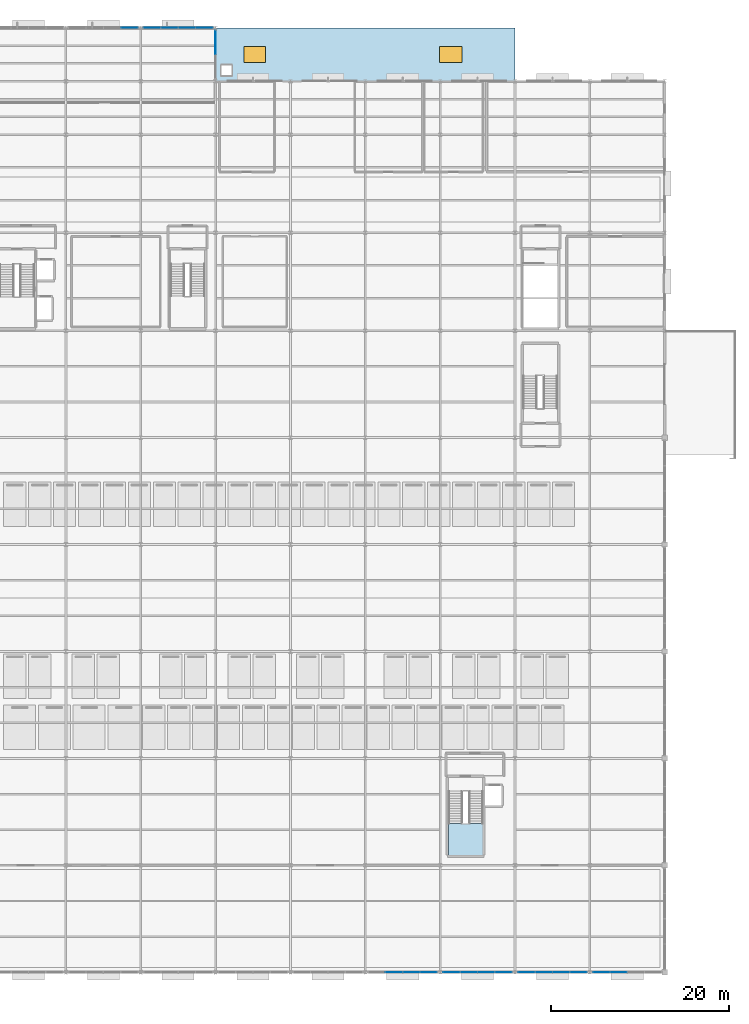
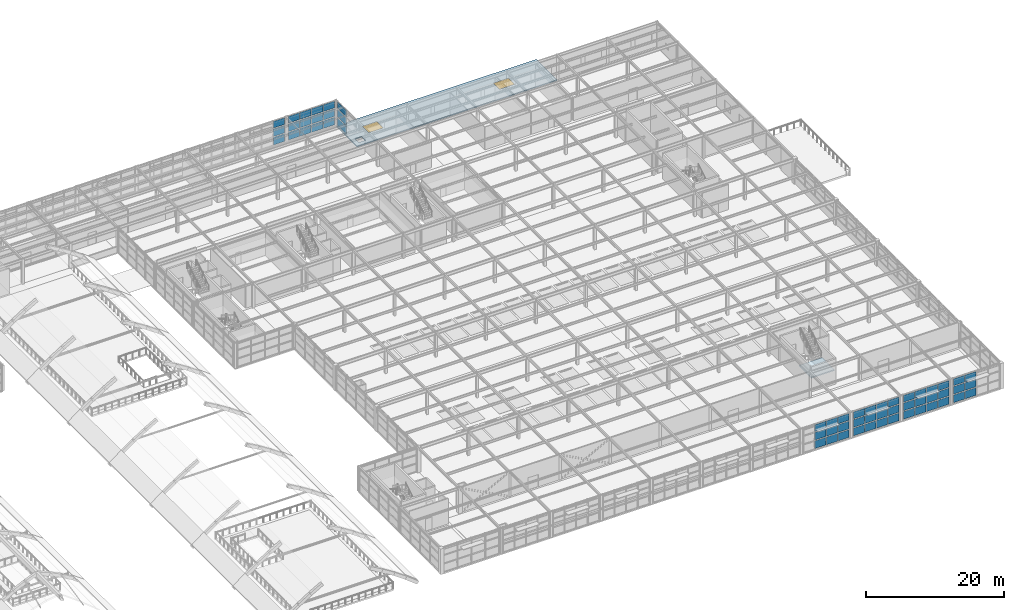
# One storey, part 52 of 82: 57 plates, 2 slabs, 2 windows, 2 openings, 8 elements without a shape of their own.
"""IFC4 building model written with IfcOpenShell, lengths in metres."""

from ifc_helpers import new_model, si_unit, direction, frame, origin, origin_2d, place, context, subcontext, project, spatial, polyline, rectangle, outline, extrude, material, layer, layer_set, type_object, element, fill, aggregate, save


model = new_model("IFC4")

# Units and contexts
model_context = context("Model", 3, precision=1e-05, world=origin(), true_north=direction((0.0, 1.0)))
body_context = subcontext(model_context, "Body", "Model", "MODEL_VIEW")
ifc_project = project(units=[si_unit("LENGTHUNIT", "METRE"), si_unit("AREAUNIT", "SQUARE_METRE"), si_unit("VOLUMEUNIT", "CUBIC_METRE"), si_unit("PLANEANGLEUNIT", "RADIAN"), si_unit("MASSUNIT", "GRAM", prefix="KILO")], contexts=[model_context])

# Site, building, storey
site_placement = place(None, origin())
site = spatial("IfcSite", under=ifc_project, at=site_placement, CompositionType="ELEMENT")
building_placement = place(site_placement, origin())
building = spatial("IfcBuilding", under=site, at=building_placement, Name="Sitalva Quay Ferry Terminal", CompositionType="ELEMENT")
storey_placement = place(building_placement, frame((0.0, 0.0, 5.39990234375)))
storey = spatial("IfcBuildingStorey", under=building, at=storey_placement, Name="L02", CompositionType="ELEMENT", Elevation=5.39990234375)

# Curtain wall, plates
ifc_material_1 = material(Name="Anodised Aluminium & Low-E Glazing", Category="aluminium")
ifc_layer_1 = layer(ifc_material_1, 0.159912109375)
ifc_layer_set_1 = layer_set([ifc_layer_1], Name="Anodised Aluminium & Low-E Glazing")
curtain_wall_type_1 = type_object("IfcCurtainWallType", Name="CW_Concourse_Unitised", PredefinedType="USERDEFINED", material=ifc_layer_set_1)
curtain_wall_1_placement = place(storey_placement, origin())
curtain_wall_1 = element("IfcCurtainWall", 1, at=curtain_wall_1_placement, inside=storey, type_object=curtain_wall_type_1, Name="L02 waterfront boarding concourse glazing (CW-L02-068)", ObjectType="CURTAIN_WALL", PredefinedType="USERDEFINED")
ifc_material_2 = material(Name="Acoustic Laminated Marine Glazing", Category="glass")
ifc_layer_2 = layer(ifc_material_2, 0.033935546875)
ifc_layer_set_2 = layer_set([ifc_layer_2], Name="Acoustic Laminated Marine Glazing")
plate_type_1 = type_object("IfcPlateType", Name="Panel_Marine_IGU_34", PredefinedType="CURTAIN_PANEL", material=ifc_layer_set_2)
plate_1_placement = place(storey_placement, frame((137.6298828125, 6.0, 0.150146484375), z_axis=(0.0, 0.0, 1.0), x_axis=(1.0, 0.0, 0.0)))
plate_1 = element("IfcPlate", 2, at=plate_1_placement, type_object=plate_type_1, Name="CW-L02-068-P1-0", PredefinedType="CURTAIN_PANEL", context=body_context, shape_type="SweptSolid", body=[
    extrude(rectangle(XDim=1.85498046875, YDim=0.033935546875, at=origin_2d()), origin(), (0.0, 0.0, 1.0), 1.36328125),
])
plate_2_placement = place(storey_placement, frame((137.6298828125, 6.0, 1.66357421875), z_axis=(0.0, 0.0, 1.0), x_axis=(1.0, 0.0, 0.0)))
plate_2 = element("IfcPlate", 3, at=plate_2_placement, type_object=plate_type_1, Name="CW-L02-068-P1-1", PredefinedType="CURTAIN_PANEL", context=body_context, shape_type="SweptSolid", body=[
    extrude(rectangle(XDim=1.85498046875, YDim=0.033935546875, at=origin_2d()), origin(), (0.0, 0.0, 1.0), 1.36328125),
])
plate_3_placement = place(storey_placement, frame((137.6298828125, 6.0, 3.1767578125), z_axis=(0.0, 0.0, 1.0), x_axis=(1.0, 0.0, 0.0)))
plate_3 = element("IfcPlate", 4, at=plate_3_placement, type_object=plate_type_1, Name="CW-L02-068-P1-2", PredefinedType="CURTAIN_PANEL", context=body_context, shape_type="SweptSolid", body=[
    extrude(rectangle(XDim=1.85498046875, YDim=0.033935546875, at=origin_2d()), origin(), (0.0, 0.0, 1.0), 1.21337890625),
])
plate_4_placement = place(storey_placement, frame((139.570068359375, 6.0, 0.150146484375), z_axis=(0.0, 0.0, 1.0), x_axis=(1.0, 0.0, 0.0)))
plate_4 = element("IfcPlate", 5, at=plate_4_placement, type_object=plate_type_1, Name="CW-L02-068-P2-0", PredefinedType="CURTAIN_PANEL", context=body_context, shape_type="SweptSolid", body=[
    extrude(rectangle(XDim=1.85498046875, YDim=0.033935546875, at=origin_2d()), origin(), (0.0, 0.0, 1.0), 1.36328125),
])
plate_5_placement = place(storey_placement, frame((139.570068359375, 6.0, 1.66357421875), z_axis=(0.0, 0.0, 1.0), x_axis=(1.0, 0.0, 0.0)))
plate_5 = element("IfcPlate", 6, at=plate_5_placement, type_object=plate_type_1, Name="CW-L02-068-P2-1", PredefinedType="CURTAIN_PANEL", context=body_context, shape_type="SweptSolid", body=[
    extrude(rectangle(XDim=1.85498046875, YDim=0.033935546875, at=origin_2d()), origin(), (0.0, 0.0, 1.0), 1.36328125),
])
plate_6_placement = place(storey_placement, frame((139.570068359375, 6.0, 3.1767578125), z_axis=(0.0, 0.0, 1.0), x_axis=(1.0, 0.0, 0.0)))
plate_6 = element("IfcPlate", 7, at=plate_6_placement, type_object=plate_type_1, Name="CW-L02-068-P2-2", PredefinedType="CURTAIN_PANEL", context=body_context, shape_type="SweptSolid", body=[
    extrude(rectangle(XDim=1.85498046875, YDim=0.033935546875, at=origin_2d()), origin(), (0.0, 0.0, 1.0), 1.21337890625),
])
plate_7_placement = place(storey_placement, frame((141.510009765625, 6.0, 0.150146484375), z_axis=(0.0, 0.0, 1.0), x_axis=(1.0, 0.0, 0.0)))
plate_7 = element("IfcPlate", 8, at=plate_7_placement, type_object=plate_type_1, Name="CW-L02-068-P3-0", PredefinedType="CURTAIN_PANEL", context=body_context, shape_type="SweptSolid", body=[
    extrude(rectangle(XDim=1.85498046875, YDim=0.033935546875, at=origin_2d()), origin(), (0.0, 0.0, 1.0), 1.36328125),
])
plate_8_placement = place(storey_placement, frame((141.510009765625, 6.0, 1.66357421875), z_axis=(0.0, 0.0, 1.0), x_axis=(1.0, 0.0, 0.0)))
plate_8 = element("IfcPlate", 9, at=plate_8_placement, type_object=plate_type_1, Name="CW-L02-068-P3-1", PredefinedType="CURTAIN_PANEL", context=body_context, shape_type="SweptSolid", body=[
    extrude(rectangle(XDim=1.85498046875, YDim=0.033935546875, at=origin_2d()), origin(), (0.0, 0.0, 1.0), 1.36328125),
])
plate_9_placement = place(storey_placement, frame((141.510009765625, 6.0, 3.1767578125), z_axis=(0.0, 0.0, 1.0), x_axis=(1.0, 0.0, 0.0)))
plate_9 = element("IfcPlate", 10, at=plate_9_placement, type_object=plate_type_1, Name="CW-L02-068-P3-2", PredefinedType="CURTAIN_PANEL", context=body_context, shape_type="SweptSolid", body=[
    extrude(rectangle(XDim=1.85498046875, YDim=0.033935546875, at=origin_2d()), origin(), (0.0, 0.0, 1.0), 1.21337890625),
])
aggregate(curtain_wall_1, [plate_1, plate_2, plate_3, plate_4, plate_5, plate_6, plate_7, plate_8, plate_9])

curtain_wall_2_placement = place(storey_placement, origin())
curtain_wall_2 = element("IfcCurtainWall", 11, at=curtain_wall_2_placement, inside=storey, type_object=curtain_wall_type_1, Name="L02 waterfront boarding concourse glazing (CW-L02-069)", ObjectType="CURTAIN_WALL", PredefinedType="USERDEFINED")
plate_10_placement = place(storey_placement, frame((144.090087890625, 6.0, 1.66357421875), z_axis=(0.0, 0.0, 1.0), x_axis=(1.0, 0.0, 0.0)))
plate_10 = element("IfcPlate", 12, at=plate_10_placement, type_object=plate_type_1, Name="CW-L02-069-P0-1", PredefinedType="CURTAIN_PANEL", context=body_context, shape_type="SweptSolid", body=[
    extrude(rectangle(XDim=1.85498046875, YDim=0.033935546875, at=origin_2d()), origin(), (0.0, 0.0, 1.0), 1.36328125),
])
plate_11_placement = place(storey_placement, frame((144.090087890625, 6.0, 3.1767578125), z_axis=(0.0, 0.0, 1.0), x_axis=(1.0, 0.0, 0.0)))
plate_11 = element("IfcPlate", 13, at=plate_11_placement, type_object=plate_type_1, Name="CW-L02-069-P0-2", PredefinedType="CURTAIN_PANEL", context=body_context, shape_type="SweptSolid", body=[
    extrude(rectangle(XDim=1.85498046875, YDim=0.033935546875, at=origin_2d()), origin(), (0.0, 0.0, 1.0), 1.21337890625),
])
plate_12_placement = place(storey_placement, frame((146.030029296875, 6.0, 1.66357421875), z_axis=(0.0, 0.0, 1.0), x_axis=(1.0, 0.0, 0.0)))
plate_12 = element("IfcPlate", 14, at=plate_12_placement, type_object=plate_type_1, Name="CW-L02-069-P1-1", PredefinedType="CURTAIN_PANEL", context=body_context, shape_type="SweptSolid", body=[
    extrude(rectangle(XDim=1.85498046875, YDim=0.033935546875, at=origin_2d()), origin(), (0.0, 0.0, 1.0), 1.36328125),
])
plate_13_placement = place(storey_placement, frame((146.030029296875, 6.0, 3.1767578125), z_axis=(0.0, 0.0, 1.0), x_axis=(1.0, 0.0, 0.0)))
plate_13 = element("IfcPlate", 15, at=plate_13_placement, type_object=plate_type_1, Name="CW-L02-069-P1-2", PredefinedType="CURTAIN_PANEL", context=body_context, shape_type="SweptSolid", body=[
    extrude(rectangle(XDim=1.85498046875, YDim=0.033935546875, at=origin_2d()), origin(), (0.0, 0.0, 1.0), 1.21337890625),
])
plate_14_placement = place(storey_placement, frame((147.969970703125, 6.0, 1.66357421875), z_axis=(0.0, 0.0, 1.0), x_axis=(1.0, 0.0, 0.0)))
plate_14 = element("IfcPlate", 16, at=plate_14_placement, type_object=plate_type_1, Name="CW-L02-069-P2-1", PredefinedType="CURTAIN_PANEL", context=body_context, shape_type="SweptSolid", body=[
    extrude(rectangle(XDim=1.85498046875, YDim=0.033935546875, at=origin_2d()), origin(), (0.0, 0.0, 1.0), 1.36328125),
])
plate_15_placement = place(storey_placement, frame((147.969970703125, 6.0, 3.1767578125), z_axis=(0.0, 0.0, 1.0), x_axis=(1.0, 0.0, 0.0)))
plate_15 = element("IfcPlate", 17, at=plate_15_placement, type_object=plate_type_1, Name="CW-L02-069-P2-2", PredefinedType="CURTAIN_PANEL", context=body_context, shape_type="SweptSolid", body=[
    extrude(rectangle(XDim=1.85498046875, YDim=0.033935546875, at=origin_2d()), origin(), (0.0, 0.0, 1.0), 1.21337890625),
])
plate_16_placement = place(storey_placement, frame((149.909912109375, 6.0, 1.66357421875), z_axis=(0.0, 0.0, 1.0), x_axis=(1.0, 0.0, 0.0)))
plate_16 = element("IfcPlate", 18, at=plate_16_placement, type_object=plate_type_1, Name="CW-L02-069-P3-1", PredefinedType="CURTAIN_PANEL", context=body_context, shape_type="SweptSolid", body=[
    extrude(rectangle(XDim=1.85498046875, YDim=0.033935546875, at=origin_2d()), origin(), (0.0, 0.0, 1.0), 1.36328125),
])
plate_17_placement = place(storey_placement, frame((149.909912109375, 6.0, 3.1767578125), z_axis=(0.0, 0.0, 1.0), x_axis=(1.0, 0.0, 0.0)))
plate_17 = element("IfcPlate", 19, at=plate_17_placement, type_object=plate_type_1, Name="CW-L02-069-P3-2", PredefinedType="CURTAIN_PANEL", context=body_context, shape_type="SweptSolid", body=[
    extrude(rectangle(XDim=1.85498046875, YDim=0.033935546875, at=origin_2d()), origin(), (0.0, 0.0, 1.0), 1.21337890625),
])

curtain_wall_3_placement = place(storey_placement, origin())
curtain_wall_3 = element("IfcCurtainWall", 20, at=curtain_wall_3_placement, inside=storey, type_object=curtain_wall_type_1, Name="L02 waterfront boarding concourse glazing (CW-L02-071)", ObjectType="CURTAIN_WALL", PredefinedType="USERDEFINED")
plate_18_placement = place(storey_placement, frame((152.489990234375, 6.0, 0.150146484375), z_axis=(0.0, 0.0, 1.0), x_axis=(1.0, 0.0, 0.0)))
plate_18 = element("IfcPlate", 21, at=plate_18_placement, type_object=plate_type_1, Name="CW-L02-071-P0-0", PredefinedType="CURTAIN_PANEL", context=body_context, shape_type="SweptSolid", body=[
    extrude(rectangle(XDim=1.85498046875, YDim=0.033935546875, at=origin_2d()), origin(), (0.0, 0.0, 1.0), 1.36328125),
])
plate_19_placement = place(storey_placement, frame((152.489990234375, 6.0, 1.66357421875), z_axis=(0.0, 0.0, 1.0), x_axis=(1.0, 0.0, 0.0)))
plate_19 = element("IfcPlate", 22, at=plate_19_placement, type_object=plate_type_1, Name="CW-L02-071-P0-1", PredefinedType="CURTAIN_PANEL", context=body_context, shape_type="SweptSolid", body=[
    extrude(rectangle(XDim=1.85498046875, YDim=0.033935546875, at=origin_2d()), origin(), (0.0, 0.0, 1.0), 1.36328125),
])
plate_20_placement = place(storey_placement, frame((152.489990234375, 6.0, 3.1767578125), z_axis=(0.0, 0.0, 1.0), x_axis=(1.0, 0.0, 0.0)))
plate_20 = element("IfcPlate", 23, at=plate_20_placement, type_object=plate_type_1, Name="CW-L02-071-P0-2", PredefinedType="CURTAIN_PANEL", context=body_context, shape_type="SweptSolid", body=[
    extrude(rectangle(XDim=1.85498046875, YDim=0.033935546875, at=origin_2d()), origin(), (0.0, 0.0, 1.0), 1.21337890625),
])
plate_21_placement = place(storey_placement, frame((154.429931640625, 6.0, 0.150146484375), z_axis=(0.0, 0.0, 1.0), x_axis=(1.0, 0.0, 0.0)))
plate_21 = element("IfcPlate", 24, at=plate_21_placement, type_object=plate_type_1, Name="CW-L02-071-P1-0", PredefinedType="CURTAIN_PANEL", context=body_context, shape_type="SweptSolid", body=[
    extrude(rectangle(XDim=1.85498046875, YDim=0.033935546875, at=origin_2d()), origin(), (0.0, 0.0, 1.0), 1.36328125),
])
plate_22_placement = place(storey_placement, frame((154.429931640625, 6.0, 1.66357421875), z_axis=(0.0, 0.0, 1.0), x_axis=(1.0, 0.0, 0.0)))
plate_22 = element("IfcPlate", 25, at=plate_22_placement, type_object=plate_type_1, Name="CW-L02-071-P1-1", PredefinedType="CURTAIN_PANEL", context=body_context, shape_type="SweptSolid", body=[
    extrude(rectangle(XDim=1.85498046875, YDim=0.033935546875, at=origin_2d()), origin(), (0.0, 0.0, 1.0), 1.36328125),
])
plate_23_placement = place(storey_placement, frame((154.429931640625, 6.0, 3.1767578125), z_axis=(0.0, 0.0, 1.0), x_axis=(1.0, 0.0, 0.0)))
plate_23 = element("IfcPlate", 26, at=plate_23_placement, type_object=plate_type_1, Name="CW-L02-071-P1-2", PredefinedType="CURTAIN_PANEL", context=body_context, shape_type="SweptSolid", body=[
    extrude(rectangle(XDim=1.85498046875, YDim=0.033935546875, at=origin_2d()), origin(), (0.0, 0.0, 1.0), 1.21337890625),
])
plate_24_placement = place(storey_placement, frame((156.3701171875, 6.0, 0.150146484375), z_axis=(0.0, 0.0, 1.0), x_axis=(1.0, 0.0, 0.0)))
plate_24 = element("IfcPlate", 27, at=plate_24_placement, type_object=plate_type_1, Name="CW-L02-071-P2-0", PredefinedType="CURTAIN_PANEL", context=body_context, shape_type="SweptSolid", body=[
    extrude(rectangle(XDim=1.85498046875, YDim=0.033935546875, at=origin_2d()), origin(), (0.0, 0.0, 1.0), 1.36328125),
])
plate_25_placement = place(storey_placement, frame((156.3701171875, 6.0, 1.66357421875), z_axis=(0.0, 0.0, 1.0), x_axis=(1.0, 0.0, 0.0)))
plate_25 = element("IfcPlate", 28, at=plate_25_placement, type_object=plate_type_1, Name="CW-L02-071-P2-1", PredefinedType="CURTAIN_PANEL", context=body_context, shape_type="SweptSolid", body=[
    extrude(rectangle(XDim=1.85498046875, YDim=0.033935546875, at=origin_2d()), origin(), (0.0, 0.0, 1.0), 1.36328125),
])
plate_26_placement = place(storey_placement, frame((156.3701171875, 6.0, 3.1767578125), z_axis=(0.0, 0.0, 1.0), x_axis=(1.0, 0.0, 0.0)))
plate_26 = element("IfcPlate", 29, at=plate_26_placement, type_object=plate_type_1, Name="CW-L02-071-P2-2", PredefinedType="CURTAIN_PANEL", context=body_context, shape_type="SweptSolid", body=[
    extrude(rectangle(XDim=1.85498046875, YDim=0.033935546875, at=origin_2d()), origin(), (0.0, 0.0, 1.0), 1.21337890625),
])
plate_27_placement = place(storey_placement, frame((158.31005859375, 6.0, 0.150146484375), z_axis=(0.0, 0.0, 1.0), x_axis=(1.0, 0.0, 0.0)))
plate_27 = element("IfcPlate", 30, at=plate_27_placement, type_object=plate_type_1, Name="CW-L02-071-P3-0", PredefinedType="CURTAIN_PANEL", context=body_context, shape_type="SweptSolid", body=[
    extrude(rectangle(XDim=1.85498046875, YDim=0.033935546875, at=origin_2d()), origin(), (0.0, 0.0, 1.0), 1.36328125),
])
plate_28_placement = place(storey_placement, frame((158.31005859375, 6.0, 1.66357421875), z_axis=(0.0, 0.0, 1.0), x_axis=(1.0, 0.0, 0.0)))
plate_28 = element("IfcPlate", 31, at=plate_28_placement, type_object=plate_type_1, Name="CW-L02-071-P3-1", PredefinedType="CURTAIN_PANEL", context=body_context, shape_type="SweptSolid", body=[
    extrude(rectangle(XDim=1.85498046875, YDim=0.033935546875, at=origin_2d()), origin(), (0.0, 0.0, 1.0), 1.36328125),
])
plate_29_placement = place(storey_placement, frame((158.31005859375, 6.0, 3.1767578125), z_axis=(0.0, 0.0, 1.0), x_axis=(1.0, 0.0, 0.0)))
plate_29 = element("IfcPlate", 32, at=plate_29_placement, type_object=plate_type_1, Name="CW-L02-071-P3-2", PredefinedType="CURTAIN_PANEL", context=body_context, shape_type="SweptSolid", body=[
    extrude(rectangle(XDim=1.85498046875, YDim=0.033935546875, at=origin_2d()), origin(), (0.0, 0.0, 1.0), 1.21337890625),
])
aggregate(curtain_wall_3, [plate_18, plate_19, plate_20, plate_21, plate_22, plate_23, plate_24, plate_25, plate_26, plate_27, plate_28, plate_29])

curtain_wall_4_placement = place(storey_placement, origin())
curtain_wall_4 = element("IfcCurtainWall", 33, at=curtain_wall_4_placement, inside=storey, type_object=curtain_wall_type_1, Name="L02 waterfront boarding concourse glazing (CW-L02-073)", ObjectType="CURTAIN_WALL", PredefinedType="USERDEFINED")
plate_30_placement = place(storey_placement, frame((160.889892578125, 6.0, 1.66357421875), z_axis=(0.0, 0.0, 1.0), x_axis=(1.0, 0.0, 0.0)))
plate_30 = element("IfcPlate", 34, at=plate_30_placement, type_object=plate_type_1, Name="CW-L02-073-P0-1", PredefinedType="CURTAIN_PANEL", context=body_context, shape_type="SweptSolid", body=[
    extrude(rectangle(XDim=1.85498046875, YDim=0.033935546875, at=origin_2d()), origin(), (0.0, 0.0, 1.0), 1.36328125),
])
plate_31_placement = place(storey_placement, frame((160.889892578125, 6.0, 3.1767578125), z_axis=(0.0, 0.0, 1.0), x_axis=(1.0, 0.0, 0.0)))
plate_31 = element("IfcPlate", 35, at=plate_31_placement, type_object=plate_type_1, Name="CW-L02-073-P0-2", PredefinedType="CURTAIN_PANEL", context=body_context, shape_type="SweptSolid", body=[
    extrude(rectangle(XDim=1.85498046875, YDim=0.033935546875, at=origin_2d()), origin(), (0.0, 0.0, 1.0), 1.21337890625),
])
plate_32_placement = place(storey_placement, frame((162.830078125, 6.0, 1.66357421875), z_axis=(0.0, 0.0, 1.0), x_axis=(1.0, 0.0, 0.0)))
plate_32 = element("IfcPlate", 36, at=plate_32_placement, type_object=plate_type_1, Name="CW-L02-073-P1-1", PredefinedType="CURTAIN_PANEL", context=body_context, shape_type="SweptSolid", body=[
    extrude(rectangle(XDim=1.85498046875, YDim=0.033935546875, at=origin_2d()), origin(), (0.0, 0.0, 1.0), 1.36328125),
])
plate_33_placement = place(storey_placement, frame((162.830078125, 6.0, 3.1767578125), z_axis=(0.0, 0.0, 1.0), x_axis=(1.0, 0.0, 0.0)))
plate_33 = element("IfcPlate", 37, at=plate_33_placement, type_object=plate_type_1, Name="CW-L02-073-P1-2", PredefinedType="CURTAIN_PANEL", context=body_context, shape_type="SweptSolid", body=[
    extrude(rectangle(XDim=1.85498046875, YDim=0.033935546875, at=origin_2d()), origin(), (0.0, 0.0, 1.0), 1.21337890625),
])

ifc_material_3 = material(Name="Anodised Aluminium & Low-E Glazing", Category="aluminium")
ifc_layer_3 = layer(ifc_material_3, 0.159912109375)
ifc_layer_set_3 = layer_set([ifc_layer_3], Name="Anodised Aluminium & Low-E Glazing")
curtain_wall_type_2 = type_object("IfcCurtainWallType", Name="CW_Office_Unitised", PredefinedType="USERDEFINED", material=ifc_layer_set_3)
curtain_wall_5_placement = place(storey_placement, origin())
curtain_wall_5 = element("IfcCurtainWall", 38, at=curtain_wall_5_placement, inside=storey, type_object=curtain_wall_type_2, Name="L02 forecourt east return glazing (CW-L02-114)", ObjectType="CURTAIN_WALL", PredefinedType="USERDEFINED")
ifc_material_4 = material(Name="Solar-Control Low-E Glazing", Category="glass")
ifc_layer_4 = layer(ifc_material_4, 0.031982421875)
ifc_layer_set_4 = layer_set([ifc_layer_4], Name="Solar-Control Low-E Glazing")
plate_type_2 = type_object("IfcPlateType", Name="Panel_Solar_IGU_32", PredefinedType="CURTAIN_PANEL", material=ifc_layer_set_4)
plate_34_placement = place(storey_placement, frame((117.60009765625, 110.360107421875, 0.150146484375), z_axis=(0.0, 0.0, 1.0), x_axis=(0.0, 1.0, 0.0)))
plate_34 = element("IfcPlate", 39, at=plate_34_placement, type_object=plate_type_2, Name="CW-L02-114-P1-0", PredefinedType="CURTAIN_PANEL", context=body_context, shape_type="SweptSolid", body=[
    extrude(rectangle(XDim=2.64501953125, YDim=0.031982421875, at=origin_2d()), origin(), (0.0, 0.0, 1.0), 1.35009765625),
])
plate_35_placement = place(storey_placement, frame((117.60009765625, 110.360107421875, 1.650146484375), z_axis=(0.0, 0.0, 1.0), x_axis=(0.0, 1.0, 0.0)))
plate_35 = element("IfcPlate", 40, at=plate_35_placement, type_object=plate_type_2, Name="CW-L02-114-P1-1", PredefinedType="CURTAIN_PANEL", context=body_context, shape_type="SweptSolid", body=[
    extrude(rectangle(XDim=2.64501953125, YDim=0.031982421875, at=origin_2d()), origin(), (0.0, 0.0, 1.0), 1.35009765625),
])
plate_36_placement = place(storey_placement, frame((117.60009765625, 110.360107421875, 3.14990234375), z_axis=(0.0, 0.0, 1.0), x_axis=(0.0, 1.0, 0.0)))
plate_36 = element("IfcPlate", 41, at=plate_36_placement, type_object=plate_type_2, Name="CW-L02-114-P1-2", PredefinedType="CURTAIN_PANEL", context=body_context, shape_type="SweptSolid", body=[
    extrude(rectangle(XDim=2.64501953125, YDim=0.031982421875, at=origin_2d()), origin(), (0.0, 0.0, 1.0), 1.199951171875),
])
aggregate(curtain_wall_5, [plate_34, plate_35, plate_36])

curtain_wall_6_placement = place(storey_placement, origin())
curtain_wall_6 = element("IfcCurtainWall", 42, at=curtain_wall_6_placement, inside=storey, type_object=curtain_wall_type_2, Name="L02 forecourt horizontal curtain wall (CW-L02-122)", ObjectType="CURTAIN_WALL", PredefinedType="USERDEFINED")
plate_37_placement = place(storey_placement, frame((107.93994140625, 112.0, 1.650146484375), z_axis=(0.0, 0.0, 1.0), x_axis=(1.0, 0.0, 0.0)))
plate_37 = element("IfcPlate", 43, at=plate_37_placement, type_object=plate_type_2, Name="CW-L02-122-P3-1", PredefinedType="CURTAIN_PANEL", context=body_context, shape_type="SweptSolid", body=[
    extrude(rectangle(XDim=1.885009765625, YDim=0.031982421875, at=origin_2d()), origin(), (0.0, 0.0, 1.0), 1.35009765625),
])
plate_38_placement = place(storey_placement, frame((107.93994140625, 112.0, 3.14990234375), z_axis=(0.0, 0.0, 1.0), x_axis=(1.0, 0.0, 0.0)))
plate_38 = element("IfcPlate", 44, at=plate_38_placement, type_object=plate_type_2, Name="CW-L02-122-P3-2", PredefinedType="CURTAIN_PANEL", context=body_context, shape_type="SweptSolid", body=[
    extrude(rectangle(XDim=1.885009765625, YDim=0.031982421875, at=origin_2d()), origin(), (0.0, 0.0, 1.0), 1.199951171875),
])

curtain_wall_7_placement = place(storey_placement, origin())
curtain_wall_7 = element("IfcCurtainWall", 45, at=curtain_wall_7_placement, inside=storey, type_object=curtain_wall_type_2, Name="L02 forecourt horizontal curtain wall (CW-L02-123)", ObjectType="CURTAIN_WALL", PredefinedType="USERDEFINED")
plate_39_placement = place(storey_placement, frame((110.4599609375, 112.0, 1.650146484375), z_axis=(0.0, 0.0, 1.0), x_axis=(1.0, 0.0, 0.0)))
plate_39 = element("IfcPlate", 46, at=plate_39_placement, type_object=plate_type_2, Name="CW-L02-123-P0-1", PredefinedType="CURTAIN_PANEL", context=body_context, shape_type="SweptSolid", body=[
    extrude(rectangle(XDim=1.885009765625, YDim=0.031982421875, at=origin_2d()), origin(), (0.0, 0.0, 1.0), 1.35009765625),
])
plate_40_placement = place(storey_placement, frame((110.4599609375, 112.0, 3.14990234375), z_axis=(0.0, 0.0, 1.0), x_axis=(1.0, 0.0, 0.0)))
plate_40 = element("IfcPlate", 47, at=plate_40_placement, type_object=plate_type_2, Name="CW-L02-123-P0-2", PredefinedType="CURTAIN_PANEL", context=body_context, shape_type="SweptSolid", body=[
    extrude(rectangle(XDim=1.885009765625, YDim=0.031982421875, at=origin_2d()), origin(), (0.0, 0.0, 1.0), 1.199951171875),
])
plate_41_placement = place(storey_placement, frame((112.419921875, 112.0, 1.650146484375), z_axis=(0.0, 0.0, 1.0), x_axis=(1.0, 0.0, 0.0)))
plate_41 = element("IfcPlate", 48, at=plate_41_placement, type_object=plate_type_2, Name="CW-L02-123-P1-1", PredefinedType="CURTAIN_PANEL", context=body_context, shape_type="SweptSolid", body=[
    extrude(rectangle(XDim=1.885009765625, YDim=0.031982421875, at=origin_2d()), origin(), (0.0, 0.0, 1.0), 1.35009765625),
])
plate_42_placement = place(storey_placement, frame((112.419921875, 112.0, 3.14990234375), z_axis=(0.0, 0.0, 1.0), x_axis=(1.0, 0.0, 0.0)))
plate_42 = element("IfcPlate", 49, at=plate_42_placement, type_object=plate_type_2, Name="CW-L02-123-P1-2", PredefinedType="CURTAIN_PANEL", context=body_context, shape_type="SweptSolid", body=[
    extrude(rectangle(XDim=1.885009765625, YDim=0.031982421875, at=origin_2d()), origin(), (0.0, 0.0, 1.0), 1.199951171875),
])
plate_43_placement = place(storey_placement, frame((114.3798828125, 112.0, 1.650146484375), z_axis=(0.0, 0.0, 1.0), x_axis=(1.0, 0.0, 0.0)))
plate_43 = element("IfcPlate", 50, at=plate_43_placement, type_object=plate_type_2, Name="CW-L02-123-P2-1", PredefinedType="CURTAIN_PANEL", context=body_context, shape_type="SweptSolid", body=[
    extrude(rectangle(XDim=1.885009765625, YDim=0.031982421875, at=origin_2d()), origin(), (0.0, 0.0, 1.0), 1.35009765625),
])
plate_44_placement = place(storey_placement, frame((114.3798828125, 112.0, 3.14990234375), z_axis=(0.0, 0.0, 1.0), x_axis=(1.0, 0.0, 0.0)))
plate_44 = element("IfcPlate", 51, at=plate_44_placement, type_object=plate_type_2, Name="CW-L02-123-P2-2", PredefinedType="CURTAIN_PANEL", context=body_context, shape_type="SweptSolid", body=[
    extrude(rectangle(XDim=1.885009765625, YDim=0.031982421875, at=origin_2d()), origin(), (0.0, 0.0, 1.0), 1.199951171875),
])
plate_45_placement = place(storey_placement, frame((116.340087890625, 112.0, 1.650146484375), z_axis=(0.0, 0.0, 1.0), x_axis=(1.0, 0.0, 0.0)))
plate_45 = element("IfcPlate", 52, at=plate_45_placement, type_object=plate_type_2, Name="CW-L02-123-P3-1", PredefinedType="CURTAIN_PANEL", context=body_context, shape_type="SweptSolid", body=[
    extrude(rectangle(XDim=1.885009765625, YDim=0.031982421875, at=origin_2d()), origin(), (0.0, 0.0, 1.0), 1.35009765625),
])
plate_46_placement = place(storey_placement, frame((116.340087890625, 112.0, 3.14990234375), z_axis=(0.0, 0.0, 1.0), x_axis=(1.0, 0.0, 0.0)))
plate_46 = element("IfcPlate", 53, at=plate_46_placement, type_object=plate_type_2, Name="CW-L02-123-P3-2", PredefinedType="CURTAIN_PANEL", context=body_context, shape_type="SweptSolid", body=[
    extrude(rectangle(XDim=1.885009765625, YDim=0.031982421875, at=origin_2d()), origin(), (0.0, 0.0, 1.0), 1.199951171875),
])

# Plate
ifc_material_5 = material(Name="Insulated Spandrel Cassette", Category="aluminium")
ifc_layer_5 = layer(ifc_material_5, 0.0400390625)
ifc_layer_set_5 = layer_set([ifc_layer_5], Name="Insulated Spandrel Cassette")
plate_type_3 = type_object("IfcPlateType", Name="Panel_Spandrel_Alu_40", PredefinedType="CURTAIN_PANEL", material=ifc_layer_set_5)
plate_47_placement = place(storey_placement, frame((144.090087890625, 6.0, 0.150146484375), z_axis=(0.0, 0.0, 1.0), x_axis=(1.0, 0.0, 0.0)))
plate_47 = element("IfcPlate", 54, at=plate_47_placement, type_object=plate_type_3, Name="CW-L02-069-P0-0", PredefinedType="CURTAIN_PANEL", context=body_context, shape_type="SweptSolid", body=[
    extrude(rectangle(XDim=1.85498046875, YDim=0.0400390625, at=origin_2d()), origin(), (0.0, 0.0, 1.0), 1.36328125),
])

plate_48_placement = place(storey_placement, frame((146.030029296875, 6.0, 0.150146484375), z_axis=(0.0, 0.0, 1.0), x_axis=(1.0, 0.0, 0.0)))
plate_48 = element("IfcPlate", 55, at=plate_48_placement, type_object=plate_type_3, Name="CW-L02-069-P1-0", PredefinedType="CURTAIN_PANEL", context=body_context, shape_type="SweptSolid", body=[
    extrude(rectangle(XDim=1.85498046875, YDim=0.0400390625, at=origin_2d()), origin(), (0.0, 0.0, 1.0), 1.36328125),
])

plate_49_placement = place(storey_placement, frame((147.969970703125, 6.0, 0.150146484375), z_axis=(0.0, 0.0, 1.0), x_axis=(1.0, 0.0, 0.0)))
plate_49 = element("IfcPlate", 56, at=plate_49_placement, type_object=plate_type_3, Name="CW-L02-069-P2-0", PredefinedType="CURTAIN_PANEL", context=body_context, shape_type="SweptSolid", body=[
    extrude(rectangle(XDim=1.85498046875, YDim=0.0400390625, at=origin_2d()), origin(), (0.0, 0.0, 1.0), 1.36328125),
])

plate_50_placement = place(storey_placement, frame((149.909912109375, 6.0, 0.150146484375), z_axis=(0.0, 0.0, 1.0), x_axis=(1.0, 0.0, 0.0)))
plate_50 = element("IfcPlate", 57, at=plate_50_placement, type_object=plate_type_3, Name="CW-L02-069-P3-0", PredefinedType="CURTAIN_PANEL", context=body_context, shape_type="SweptSolid", body=[
    extrude(rectangle(XDim=1.85498046875, YDim=0.0400390625, at=origin_2d()), origin(), (0.0, 0.0, 1.0), 1.36328125),
])

aggregate(curtain_wall_2, [plate_47, plate_10, plate_11, plate_48, plate_12, plate_13, plate_49, plate_14, plate_15, plate_50, plate_16, plate_17])

plate_51_placement = place(storey_placement, frame((160.889892578125, 6.0, 0.150146484375), z_axis=(0.0, 0.0, 1.0), x_axis=(1.0, 0.0, 0.0)))
plate_51 = element("IfcPlate", 58, at=plate_51_placement, type_object=plate_type_3, Name="CW-L02-073-P0-0", PredefinedType="CURTAIN_PANEL", context=body_context, shape_type="SweptSolid", body=[
    extrude(rectangle(XDim=1.85498046875, YDim=0.0400390625, at=origin_2d()), origin(), (0.0, 0.0, 1.0), 1.36328125),
])

plate_52_placement = place(storey_placement, frame((162.830078125, 6.0, 0.150146484375), z_axis=(0.0, 0.0, 1.0), x_axis=(1.0, 0.0, 0.0)))
plate_52 = element("IfcPlate", 59, at=plate_52_placement, type_object=plate_type_3, Name="CW-L02-073-P1-0", PredefinedType="CURTAIN_PANEL", context=body_context, shape_type="SweptSolid", body=[
    extrude(rectangle(XDim=1.85498046875, YDim=0.0400390625, at=origin_2d()), origin(), (0.0, 0.0, 1.0), 1.36328125),
])

aggregate(curtain_wall_4, [plate_51, plate_30, plate_31, plate_52, plate_32, plate_33])

plate_53_placement = place(storey_placement, frame((107.93994140625, 112.0, 0.150146484375), z_axis=(0.0, 0.0, 1.0), x_axis=(1.0, 0.0, 0.0)))
plate_53 = element("IfcPlate", 60, at=plate_53_placement, type_object=plate_type_3, Name="CW-L02-122-P3-0", PredefinedType="CURTAIN_PANEL", context=body_context, shape_type="SweptSolid", body=[
    extrude(rectangle(XDim=1.885009765625, YDim=0.0400390625, at=origin_2d()), origin(), (0.0, 0.0, 1.0), 1.35009765625),
])

aggregate(curtain_wall_6, [plate_53, plate_37, plate_38])

plate_54_placement = place(storey_placement, frame((110.4599609375, 112.0, 0.150146484375), z_axis=(0.0, 0.0, 1.0), x_axis=(1.0, 0.0, 0.0)))
plate_54 = element("IfcPlate", 61, at=plate_54_placement, type_object=plate_type_3, Name="CW-L02-123-P0-0", PredefinedType="CURTAIN_PANEL", context=body_context, shape_type="SweptSolid", body=[
    extrude(rectangle(XDim=1.885009765625, YDim=0.0400390625, at=origin_2d()), origin(), (0.0, 0.0, 1.0), 1.35009765625),
])

plate_55_placement = place(storey_placement, frame((112.419921875, 112.0, 0.150146484375), z_axis=(0.0, 0.0, 1.0), x_axis=(1.0, 0.0, 0.0)))
plate_55 = element("IfcPlate", 62, at=plate_55_placement, type_object=plate_type_3, Name="CW-L02-123-P1-0", PredefinedType="CURTAIN_PANEL", context=body_context, shape_type="SweptSolid", body=[
    extrude(rectangle(XDim=1.885009765625, YDim=0.0400390625, at=origin_2d()), origin(), (0.0, 0.0, 1.0), 1.35009765625),
])

plate_56_placement = place(storey_placement, frame((114.3798828125, 112.0, 0.150146484375), z_axis=(0.0, 0.0, 1.0), x_axis=(1.0, 0.0, 0.0)))
plate_56 = element("IfcPlate", 63, at=plate_56_placement, type_object=plate_type_3, Name="CW-L02-123-P2-0", PredefinedType="CURTAIN_PANEL", context=body_context, shape_type="SweptSolid", body=[
    extrude(rectangle(XDim=1.885009765625, YDim=0.0400390625, at=origin_2d()), origin(), (0.0, 0.0, 1.0), 1.35009765625),
])

plate_57_placement = place(storey_placement, frame((116.340087890625, 112.0, 0.150146484375), z_axis=(0.0, 0.0, 1.0), x_axis=(1.0, 0.0, 0.0)))
plate_57 = element("IfcPlate", 64, at=plate_57_placement, type_object=plate_type_3, Name="CW-L02-123-P3-0", PredefinedType="CURTAIN_PANEL", context=body_context, shape_type="SweptSolid", body=[
    extrude(rectangle(XDim=1.885009765625, YDim=0.0400390625, at=origin_2d()), origin(), (0.0, 0.0, 1.0), 1.35009765625),
])

aggregate(curtain_wall_7, [plate_54, plate_39, plate_40, plate_55, plate_41, plate_42, plate_56, plate_43, plate_44, plate_57, plate_45, plate_46])

# Slab, openings, windows
ifc_material_6 = material(Name="Concrete C35/45", Category="concrete")
ifc_layer_6 = layer(ifc_material_6, 0.179931640625)
ifc_layer_set_6 = layer_set([ifc_layer_6], Name="Concrete C35/45")
slab_type_1 = type_object("IfcSlabType", Name="Slab_CanopyRoof_180", PredefinedType="ROOF", material=ifc_layer_set_6)
slab_1_placement = place(storey_placement, frame((0.0, 0.0, -0.27978515625)))
slab_1 = element("IfcSlab", 65, at=slab_1_placement, inside=storey, type_object=slab_type_1, Name="L02 East entrance canopy roof 031", PredefinedType="ROOF", context=body_context, shape_type="SweptSolid", body=[
    extrude(outline(polyline([(117.60009765625, 106.0), (151.199951171875, 106.0), (151.199951171875, 112.0), (117.60009765625, 112.0), (117.60009765625, 106.0)]), holes=[polyline([(118.25, 106.64990234375), (118.25, 107.800048828125), (119.39990234375, 107.800048828125), (119.39990234375, 106.64990234375), (118.25, 106.64990234375)])]), origin(), (0.0, 0.0, 1.0), 0.179931640625),
])
opening_1_placement = place(slab_1_placement, frame((122.0, 109.0, 0.0)))
opening_1 = element("IfcOpeningElement", 66, at=opening_1_placement, cuts=slab_1, Name="Opening SK-07", PredefinedType="OPENING", context=body_context, shape_type="SweptSolid", body=[
    extrude(rectangle(XDim=2.39990234375, YDim=1.800048828125, at=origin_2d()), frame((0.0, 0.0, -0.010009765625)), (0.0, 0.0, 1.0), 0.199951171875),
])
opening_2_placement = place(slab_1_placement, frame((144.0, 109.0, 0.0)))
opening_2 = element("IfcOpeningElement", 67, at=opening_2_placement, cuts=slab_1, Name="Opening SK-08", PredefinedType="OPENING", context=body_context, shape_type="SweptSolid", body=[
    extrude(rectangle(XDim=2.5, YDim=1.75, at=origin_2d()), frame((0.0, 0.0, -0.010009765625)), (0.0, 0.0, 1.0), 0.199951171875),
])
ifc_material_7 = material(Name="Laminated Daylight Roof Lantern", Category="glass")
window_type_1 = type_object("IfcWindowType", Name="Skylight_CanopyB_2500x1750", PartitioningType="SINGLE_PANEL", PredefinedType="SKYLIGHT", material=ifc_material_7)
window_1_placement = place(opening_2_placement, frame((0.0, 0.0, 0.1298828125)))
window_1 = element("IfcWindow", 68, at=window_1_placement, inside=storey, type_object=window_type_1, Name="Roof daylight skylight SK-08", OverallHeight=1.75, OverallWidth=2.5, PartitioningType="SINGLE_PANEL", PredefinedType="SKYLIGHT", context=body_context, shape_type="SweptSolid", body=[
    extrude(rectangle(XDim=2.5, YDim=1.75, at=origin_2d()), origin(), (0.0, 0.0, 1.0), 0.050048828125),
])
fill(opening_2, window_1)
ifc_material_8 = material(Name="Laminated Daylight Roof Lantern", Category="glass")
window_type_2 = type_object("IfcWindowType", Name="Skylight_Canopy_2400x1800", PartitioningType="SINGLE_PANEL", PredefinedType="SKYLIGHT", material=ifc_material_8)
window_2_placement = place(opening_1_placement, frame((0.0, 0.0, 0.1298828125)))
window_2 = element("IfcWindow", 69, at=window_2_placement, inside=storey, type_object=window_type_2, Name="Roof daylight skylight SK-07", OverallHeight=1.800048828125, OverallWidth=2.39990234375, PartitioningType="SINGLE_PANEL", PredefinedType="SKYLIGHT", context=body_context, shape_type="SweptSolid", body=[
    extrude(rectangle(XDim=2.39990234375, YDim=1.800048828125, at=origin_2d()), origin(), (0.0, 0.0, 1.0), 0.050048828125),
])
fill(opening_1, window_2)

# Stair, slab
ifc_material_9 = material(Name="Concrete C35/45", Category="concrete")
stair_type = type_object("IfcStairType", Name="Stair_CoreDogLeg_1400", PredefinedType="HALF_TURN_STAIR", material=ifc_material_9)
stair_placement = place(storey_placement, origin())
stair = element("IfcStair", 70, at=stair_placement, inside=storey, type_object=stair_type, Name="L02 Core C8 stair ST-08", PredefinedType="HALF_TURN_STAIR")
ifc_material_10 = material(Name="Concrete C35/45", Category="concrete")
ifc_layer_7 = layer(ifc_material_10, 0.199951171875)
ifc_layer_set_7 = layer_set([ifc_layer_7], Name="Concrete C35/45")
slab_type_2 = type_object("IfcSlabType", Name="Slab_StairLanding_200", PredefinedType="LANDING", material=ifc_layer_set_7)
slab_2_placement = place(storey_placement, frame((0.0, 0.0, 2.2001953125)))
slab_2 = element("IfcSlab", 71, at=slab_2_placement, type_object=slab_type_2, Name="ST-08 landing 1", PredefinedType="LANDING", context=body_context, shape_type="SweptSolid", body=[
    extrude(outline(polyline([(143.719970703125, 22.679931640625), (143.719970703125, 19.1201171875), (147.580078125, 19.1201171875), (147.580078125, 22.679931640625), (143.719970703125, 22.679931640625)])), origin(), (0.0, 0.0, 1.0), 0.199951171875),
])
aggregate(stair, [slab_2])

save(model, "model.ifc")
